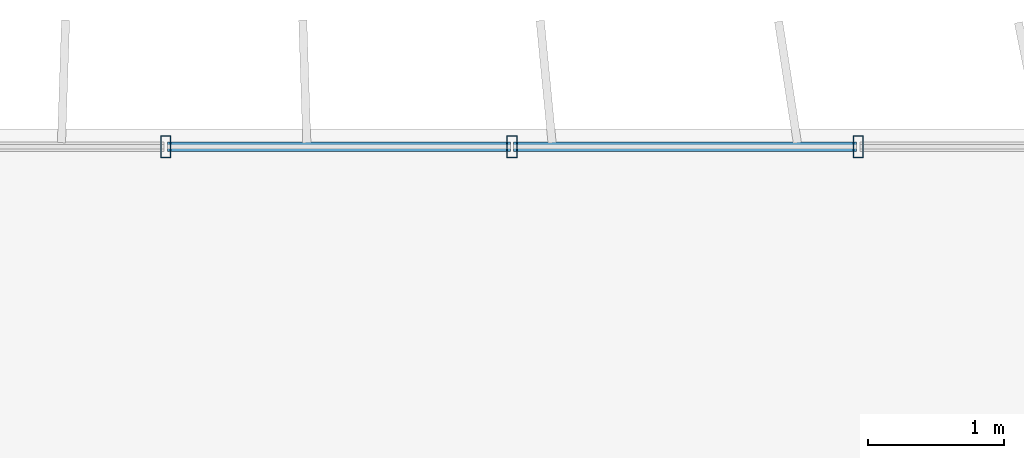
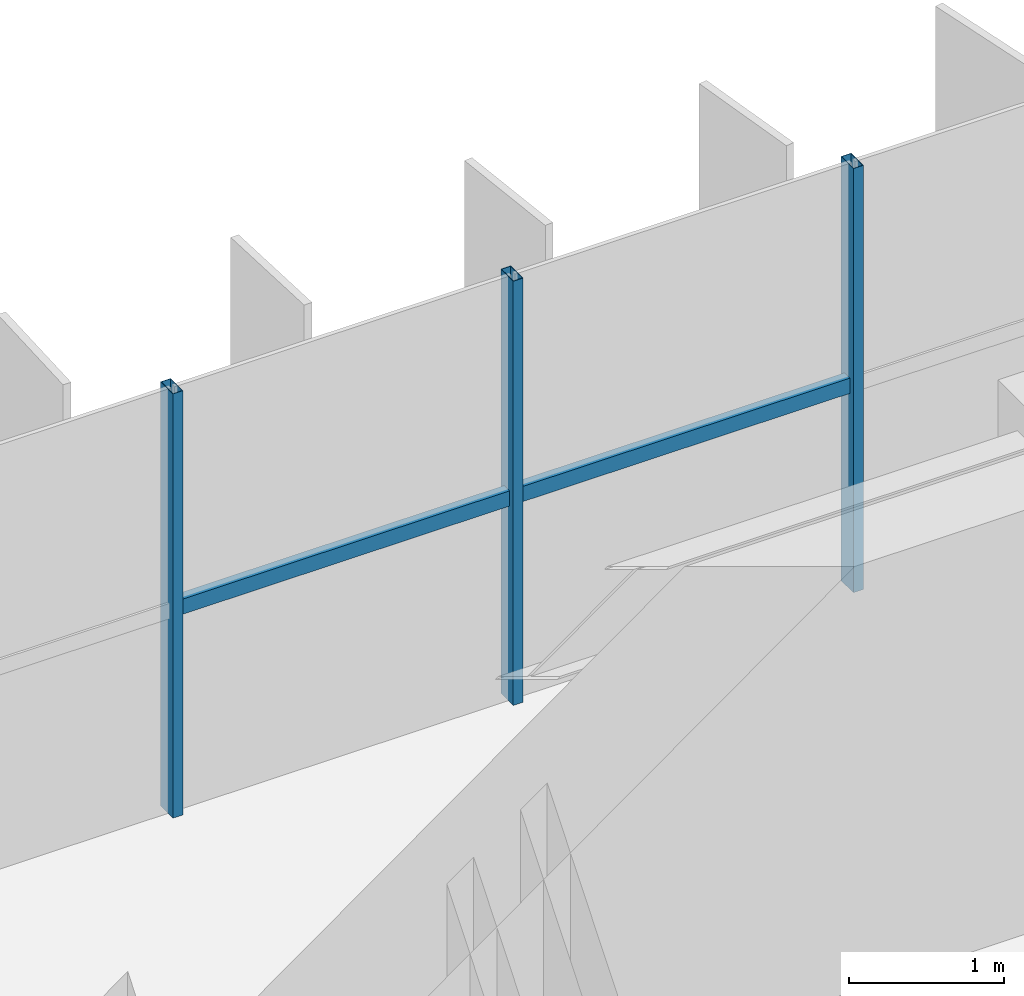
# One storey, part 6 of 21: 5 members, 1 element without a shape of its own.
"""IFC4 building model written with IfcOpenShell, lengths in metres."""

from ifc_helpers import new_model, si_unit, direction, frame, origin, origin_2d, place, context, subcontext, project, spatial, hollow_rectangle, extrude, source, transform, mapped, material, material_profile, profile_set, type_object, element, aggregate, save


model = new_model("IFC4")

# Units and contexts
model_context = context("Model", 3, precision=1e-05, world=origin(), true_north=direction((0.0, 1.0)))
body_context = subcontext(model_context, "Body", "Model", "MODEL_VIEW")
ifc_project = project(units=[si_unit("LENGTHUNIT", "METRE"), si_unit("AREAUNIT", "SQUARE_METRE"), si_unit("VOLUMEUNIT", "CUBIC_METRE"), si_unit("PLANEANGLEUNIT", "RADIAN"), si_unit("MASSUNIT", "GRAM", prefix="KILO")], contexts=[model_context])

# Site, building, storey
site_placement = place(None, origin())
site = spatial("IfcSite", under=ifc_project, at=site_placement, CompositionType="ELEMENT")
building_placement = place(site_placement, origin())
building = spatial("IfcBuilding", under=site, at=building_placement, Name="Trelvane Seafront Commons", CompositionType="ELEMENT")
storey_placement = place(building_placement, frame((0.0, 0.0, 157.300048828125)))
storey = spatial("IfcBuildingStorey", under=building, at=storey_placement, Name="L41", CompositionType="ELEMENT", Elevation=157.300048828125)

# Curtain wall, members
ifc_material = material(Name="Anodised pale-silver aluminium", Category="aluminium")
curtain_wall_type = type_object("IfcCurtainWallType", Name="ARCH-CW5-UPTOWER", PredefinedType="NOTDEFINED", material=ifc_material)
curtain_wall_placement = place(storey_placement, origin())
curtain_wall = element("IfcCurtainWall", 1, at=curtain_wall_placement, inside=storey, type_object=curtain_wall_type, Name="CW-L41-0068", PredefinedType="NOTDEFINED")
ifc_material_profile_1 = material_profile(ifc_material, hollow_rectangle(XDim=0.070068359375, YDim=0.1201171875, WallThickness=0.00390625, at=origin_2d()), Name="TRAN-70x120x4")
ifc_profile_set_1 = profile_set([ifc_material_profile_1], Name="Anodised pale-silver aluminium")
member_type_1 = type_object("IfcMemberType", Name="ARCH-CW-TRAN-120", PredefinedType="USERDEFINED", material=ifc_profile_set_1)
shared_shape_1 = source(origin(), body_context, "Body", "SweptSolid", [
    extrude(hollow_rectangle(XDim=0.070068359375, YDim=0.1201171875, WallThickness=0.00390625, at=origin_2d()), origin(), (0.0, 0.0, 1.0), 2.517333984375),
])
member_1_placement = place(storey_placement, frame((25.776611328125, 48.3701171875, 1.60791015625), z_axis=(1.0, 0.0, 0.0), x_axis=(0.0, 1.0, 0.0)))
member_1 = element("IfcMember", 2, at=member_1_placement, type_object=member_type_1, Name="CW-L41-0068-T04", ObjectType="TRANSOM", PredefinedType="USERDEFINED", context=body_context, shape_type="MappedRepresentation", body=[
    mapped(shared_shape_1, transform((0.0, 0.0, 0.0), x_axis=(1.0, 0.0, 0.0), y_axis=(0.0, 1.0, 0.0), z_axis=(0.0, 0.0, 1.0), scale=1.0)),
])
member_2_placement = place(storey_placement, frame((28.31787109375, 48.3701171875, 1.60791015625), z_axis=(1.0, 0.0, 0.0), x_axis=(0.0, 1.0, 0.0)))
member_2 = element("IfcMember", 3, at=member_2_placement, type_object=member_type_1, Name="CW-L41-0068-T05", ObjectType="TRANSOM", PredefinedType="USERDEFINED", context=body_context, shape_type="MappedRepresentation", body=[
    mapped(shared_shape_1, transform((0.0, 0.0, 0.0), x_axis=(1.0, 0.0, 0.0), y_axis=(0.0, 1.0, 0.0), z_axis=(0.0, 0.0, 1.0), scale=1.0)),
])
ifc_material_profile_2 = material_profile(ifc_material, hollow_rectangle(XDim=0.074951171875, YDim=0.159912109375, WallThickness=0.00390625, at=origin_2d()), Name="MULL-75x160x4")
ifc_profile_set_2 = profile_set([ifc_material_profile_2], Name="Anodised pale-silver aluminium")
member_type_2 = type_object("IfcMemberType", Name="ARCH-CW-MULL-160", PredefinedType="MULLION", material=ifc_profile_set_2)
shared_shape_2 = source(origin(), body_context, "Body", "SweptSolid", [
    extrude(hollow_rectangle(XDim=0.074951171875, YDim=0.159912109375, WallThickness=0.00390625, at=origin_2d()), origin(), (0.0, 0.0, 1.0), 3.349853515625),
])
member_3_placement = place(storey_placement, frame((25.7646484375, 48.3701171875, 0.0), z_axis=(0.0, 0.0, 1.0), x_axis=(1.0, 0.0, 0.0)))
member_3 = element("IfcMember", 4, at=member_3_placement, type_object=member_type_2, Name="CW-L41-0068-M04", PredefinedType="MULLION", context=body_context, shape_type="MappedRepresentation", body=[
    mapped(shared_shape_2, transform((0.0, 0.0, 0.0), x_axis=(1.0, 0.0, 0.0), y_axis=(0.0, 1.0, 0.0), z_axis=(0.0, 0.0, 1.0), scale=1.0)),
])
member_4_placement = place(storey_placement, frame((28.305908203125, 48.3701171875, 0.0), z_axis=(0.0, 0.0, 1.0), x_axis=(1.0, 0.0, 0.0)))
member_4 = element("IfcMember", 5, at=member_4_placement, type_object=member_type_2, Name="CW-L41-0068-M05", PredefinedType="MULLION", context=body_context, shape_type="MappedRepresentation", body=[
    mapped(shared_shape_2, transform((0.0, 0.0, 0.0), x_axis=(1.0, 0.0, 0.0), y_axis=(0.0, 1.0, 0.0), z_axis=(0.0, 0.0, 1.0), scale=1.0)),
])
member_5_placement = place(storey_placement, frame((30.84716796875, 48.3701171875, 0.0), z_axis=(0.0, 0.0, 1.0), x_axis=(1.0, 0.0, 0.0)))
member_5 = element("IfcMember", 6, at=member_5_placement, type_object=member_type_2, Name="CW-L41-0068-M06", PredefinedType="MULLION", context=body_context, shape_type="MappedRepresentation", body=[
    mapped(shared_shape_2, transform((0.0, 0.0, 0.0), x_axis=(1.0, 0.0, 0.0), y_axis=(0.0, 1.0, 0.0), z_axis=(0.0, 0.0, 1.0), scale=1.0)),
])
aggregate(curtain_wall, [member_3, member_4, member_5, member_1, member_2])

save(model, "model.ifc")
